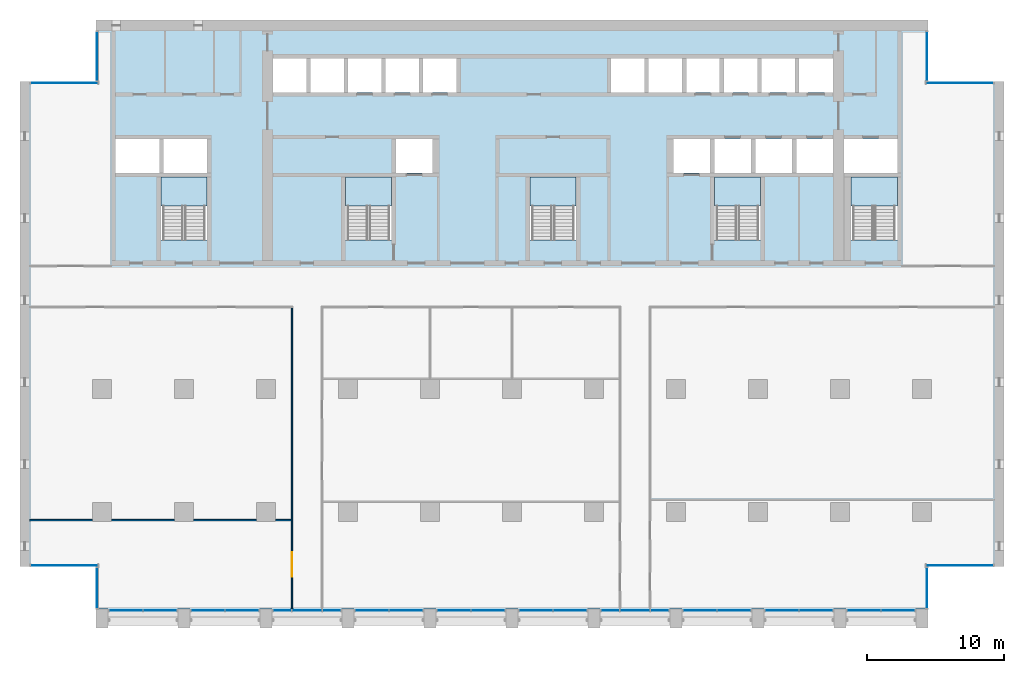
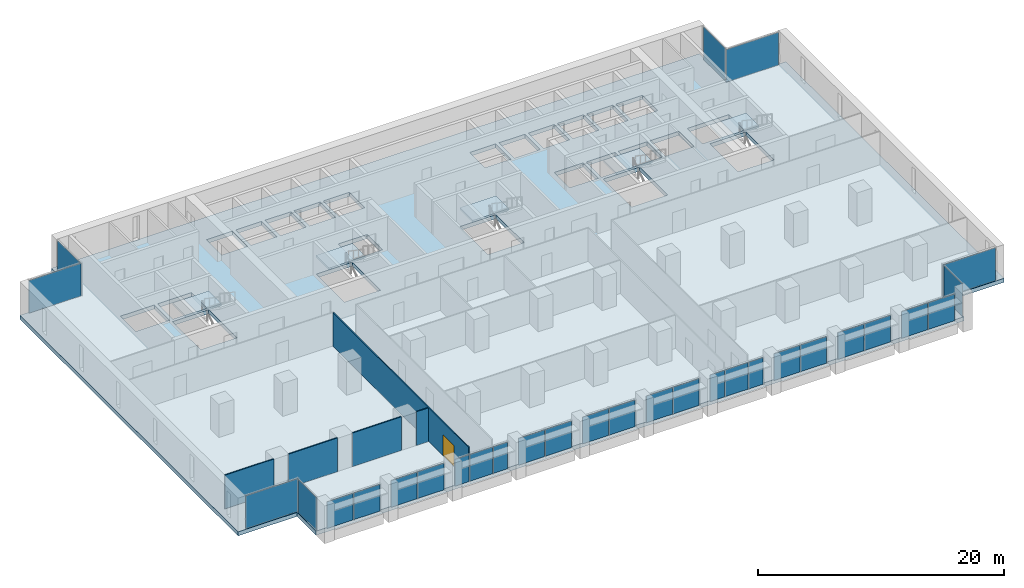
# One storey, part 7 of 15: 30 plates, 6 slabs, 5 walls, 1 door, 1 opening, 23 elements without a shape of their own.
"""IFC4 building model written with IfcOpenShell, lengths in metres."""

from ifc_helpers import new_model, si_unit, direction, frame, frame_2d, origin, origin_2d, place, context, subcontext, project, spatial, polyline, rectangle, outline, extrude, material, layer, layer_set, type_object, element, fill, aggregate, save


model = new_model("IFC4")

# Units and contexts
model_context = context("Model", 3, precision=1e-05, world=origin(), true_north=direction((0.0, 1.0)))
body_context = subcontext(model_context, "Body", "Model", "MODEL_VIEW")
ifc_project = project(units=[si_unit("LENGTHUNIT", "METRE"), si_unit("AREAUNIT", "SQUARE_METRE"), si_unit("VOLUMEUNIT", "CUBIC_METRE"), si_unit("PLANEANGLEUNIT", "RADIAN"), si_unit("MASSUNIT", "GRAM", prefix="KILO")], contexts=[model_context])

# Site, building, storey
site_placement = place(None, origin())
site = spatial("IfcSite", under=ifc_project, at=site_placement, CompositionType="ELEMENT")
building_placement = place(site_placement, origin())
building = spatial("IfcBuilding", under=site, at=building_placement, Name="Calvaro Tower", CompositionType="ELEMENT")
storey_placement = place(building_placement, frame((0.0, 0.0, 106.25)))
storey = spatial("IfcBuildingStorey", under=building, at=storey_placement, Name="L26", CompositionType="ELEMENT", Elevation=106.25)

# Slab
ifc_material_1 = material(Name="Concrete C40/50", Category="concrete")
ifc_layer_1 = layer(ifc_material_1, 0.39990234375)
ifc_layer_set_1 = layer_set([ifc_layer_1], Name="Concrete C40/50")
slab_type_1 = type_object("IfcSlabType", Name="Floor slab 400 C40/50", PredefinedType="FLOOR", material=ifc_layer_set_1)
slab_1_placement = place(storey_placement, frame((0.0, 0.0, -0.39990234375)))
element("IfcSlab", 1, at=slab_1_placement, inside=storey, type_object=slab_type_1, Name="Floor slab", PredefinedType="FLOOR", context=body_context, shape_type="SweptSolid", body=[
    extrude(outline(polyline([(66.449951171875, 6.0), (66.449951171875, 2.89990234375), (5.550048828125, 2.89990234375), (5.550048828125, 6.0), (0.0, 6.0), (0.0, 41.5), (5.550048828125, 41.5), (5.550048828125, 46.0), (66.449951171875, 46.0), (66.449951171875, 41.5), (72.0, 41.5), (72.0, 6.0), (66.449951171875, 6.0)]), holes=[polyline([(10.300048828125, 29.909912109375), (10.300048828125, 34.5), (12.0, 34.5), (13.699951171875, 34.5), (13.699951171875, 29.909912109375), (12.0, 29.909912109375), (10.300048828125, 29.909912109375)]), polyline([(23.800048828125, 29.909912109375), (23.800048828125, 34.5), (25.5, 34.5), (27.199951171875, 34.5), (27.199951171875, 29.909912109375), (25.5, 29.909912109375), (23.800048828125, 29.909912109375)]), polyline([(37.300048828125, 29.909912109375), (37.300048828125, 34.5), (39.0, 34.5), (40.699951171875, 34.5), (40.699951171875, 29.909912109375), (39.0, 29.909912109375), (37.300048828125, 29.909912109375)]), polyline([(50.800048828125, 29.909912109375), (50.800048828125, 34.5), (52.5, 34.5), (54.199951171875, 34.5), (54.199951171875, 29.909912109375), (52.5, 29.909912109375), (50.800048828125, 29.909912109375)]), polyline([(60.800048828125, 29.909912109375), (60.800048828125, 34.5), (62.5, 34.5), (64.199951171875, 34.5), (64.199951171875, 29.909912109375), (62.5, 29.909912109375), (60.800048828125, 29.909912109375)]), polyline([(50.800048828125, 34.800048828125), (53.5, 34.800048828125), (53.5, 37.300048828125), (50.800048828125, 37.300048828125), (50.800048828125, 34.800048828125)]), polyline([(53.800048828125, 34.800048828125), (56.5, 34.800048828125), (56.5, 37.300048828125), (53.800048828125, 37.300048828125), (53.800048828125, 34.800048828125)]), polyline([(56.800048828125, 34.800048828125), (59.5, 34.800048828125), (59.5, 37.300048828125), (56.800048828125, 37.300048828125), (56.800048828125, 34.800048828125)]), polyline([(18.5, 40.699951171875), (20.949951171875, 40.699951171875), (20.949951171875, 43.199951171875), (18.5, 43.199951171875), (18.5, 40.699951171875)]), polyline([(21.25, 40.699951171875), (23.699951171875, 40.699951171875), (23.699951171875, 43.199951171875), (21.25, 43.199951171875), (21.25, 40.699951171875)]), polyline([(24.0, 40.699951171875), (26.449951171875, 40.699951171875), (26.449951171875, 43.199951171875), (24.0, 43.199951171875), (24.0, 40.699951171875)]), polyline([(26.75, 40.699951171875), (29.199951171875, 40.699951171875), (29.199951171875, 43.199951171875), (26.75, 43.199951171875), (26.75, 40.699951171875)]), polyline([(29.5, 40.699951171875), (31.949951171875, 40.699951171875), (31.949951171875, 43.199951171875), (29.5, 43.199951171875), (29.5, 40.699951171875)]), polyline([(43.25, 40.699951171875), (45.699951171875, 40.699951171875), (45.699951171875, 43.199951171875), (43.25, 43.199951171875), (43.25, 40.699951171875)]), polyline([(46.0, 40.699951171875), (48.449951171875, 40.699951171875), (48.449951171875, 43.199951171875), (46.0, 43.199951171875), (46.0, 40.699951171875)]), polyline([(48.75, 40.699951171875), (51.199951171875, 40.699951171875), (51.199951171875, 43.199951171875), (48.75, 43.199951171875), (48.75, 40.699951171875)]), polyline([(51.5, 40.699951171875), (53.949951171875, 40.699951171875), (53.949951171875, 43.199951171875), (51.5, 43.199951171875), (51.5, 40.699951171875)]), polyline([(54.25, 40.699951171875), (56.699951171875, 40.699951171875), (56.699951171875, 43.199951171875), (54.25, 43.199951171875), (54.25, 40.699951171875)]), polyline([(57.0, 40.699951171875), (59.5, 40.699951171875), (59.5, 43.199951171875), (57.0, 43.199951171875), (57.0, 40.699951171875)]), polyline([(7.0, 34.800048828125), (10.199951171875, 34.800048828125), (10.199951171875, 37.300048828125), (7.0, 37.300048828125), (7.0, 34.800048828125)]), polyline([(10.5, 34.800048828125), (13.699951171875, 34.800048828125), (13.699951171875, 37.300048828125), (10.5, 37.300048828125), (10.5, 34.800048828125)]), polyline([(60.300048828125, 34.800048828125), (64.199951171875, 34.800048828125), (64.199951171875, 37.300048828125), (60.300048828125, 37.300048828125), (60.300048828125, 34.800048828125)]), polyline([(27.5, 34.800048828125), (30.199951171875, 34.800048828125), (30.199951171875, 37.300048828125), (27.5, 37.300048828125), (27.5, 34.800048828125)]), polyline([(47.800048828125, 34.800048828125), (50.5, 34.800048828125), (50.5, 37.300048828125), (47.800048828125, 37.300048828125), (47.800048828125, 34.800048828125)])]), origin(), (0.0, 0.0, 1.0), 0.39990234375),
])

# Curtain wall, plates
ifc_material_2 = material(Name="Anodised aluminium", Category="aluminium")
curtain_wall_type = type_object("IfcCurtainWallType", Name="Office curtain wall, middle zone", PredefinedType="NOTDEFINED", material=ifc_material_2)
curtain_wall_1_placement = place(storey_placement, origin())
curtain_wall_1 = element("IfcCurtainWall", 2, at=curtain_wall_1_placement, inside=storey, type_object=curtain_wall_type, Name="CW2 south curtain wall", PredefinedType="NOTDEFINED")
ifc_material_3 = material(Name="Glass", Category="glass")
ifc_layer_2 = layer(ifc_material_3, 0.031982421875)
ifc_layer_set_2 = layer_set([ifc_layer_2], Name="Glass")
plate_type = type_object("IfcPlateType", Name="Glass panel S2 32", PredefinedType="CURTAIN_PANEL", material=ifc_layer_set_2)
plate_1_placement = place(storey_placement, frame((7.742431640625, 2.800048828125, 0.0), z_axis=(0.0, 0.0, 1.0), x_axis=(1.0, 0.0, 0.0)))
plate_1 = element("IfcPlate", 3, at=plate_1_placement, type_object=plate_type, Name="CW2 glass panel 1.1", PredefinedType="CURTAIN_PANEL", context=body_context, shape_type="SweptSolid", body=[
    extrude(rectangle(XDim=2.445068359375, YDim=0.031982421875, at=origin_2d()), origin(), (0.0, 0.0, 1.0), 2.64990234375),
])
plate_2_placement = place(storey_placement, frame((10.257568359375, 2.800048828125, 0.0), z_axis=(0.0, 0.0, 1.0), x_axis=(1.0, 0.0, 0.0)))
plate_2 = element("IfcPlate", 4, at=plate_2_placement, type_object=plate_type, Name="CW2 glass panel 2.1", PredefinedType="CURTAIN_PANEL", context=body_context, shape_type="SweptSolid", body=[
    extrude(rectangle(XDim=2.445068359375, YDim=0.031982421875, at=origin_2d()), origin(), (0.0, 0.0, 1.0), 2.64990234375),
])
aggregate(curtain_wall_1, [plate_1, plate_2])

curtain_wall_2_placement = place(storey_placement, origin())
curtain_wall_2 = element("IfcCurtainWall", 5, at=curtain_wall_2_placement, inside=storey, type_object=curtain_wall_type, Name="CW2 south curtain wall", PredefinedType="NOTDEFINED")
plate_3_placement = place(storey_placement, frame((13.742431640625, 2.800048828125, 0.0), z_axis=(0.0, 0.0, 1.0), x_axis=(1.0, 0.0, 0.0)))
plate_3 = element("IfcPlate", 6, at=plate_3_placement, type_object=plate_type, Name="CW2 glass panel 1.1", PredefinedType="CURTAIN_PANEL", context=body_context, shape_type="SweptSolid", body=[
    extrude(rectangle(XDim=2.445068359375, YDim=0.031982421875, at=origin_2d()), origin(), (0.0, 0.0, 1.0), 2.64990234375),
])
plate_4_placement = place(storey_placement, frame((16.257568359375, 2.800048828125, 0.0), z_axis=(0.0, 0.0, 1.0), x_axis=(1.0, 0.0, 0.0)))
plate_4 = element("IfcPlate", 7, at=plate_4_placement, type_object=plate_type, Name="CW2 glass panel 2.1", PredefinedType="CURTAIN_PANEL", context=body_context, shape_type="SweptSolid", body=[
    extrude(rectangle(XDim=2.445068359375, YDim=0.031982421875, at=origin_2d()), origin(), (0.0, 0.0, 1.0), 2.64990234375),
])
aggregate(curtain_wall_2, [plate_3, plate_4])

curtain_wall_3_placement = place(storey_placement, origin())
curtain_wall_3 = element("IfcCurtainWall", 8, at=curtain_wall_3_placement, inside=storey, type_object=curtain_wall_type, Name="CW2 south curtain wall", PredefinedType="NOTDEFINED")
plate_5_placement = place(storey_placement, frame((19.1923828125, 2.800048828125, 0.0), z_axis=(0.0, 0.0, 1.0), x_axis=(1.0, 0.0, 0.0)))
plate_5 = element("IfcPlate", 9, at=plate_5_placement, type_object=plate_type, Name="CW2 glass panel 1.1", PredefinedType="CURTAIN_PANEL", context=body_context, shape_type="SweptSolid", body=[
    extrude(rectangle(XDim=1.344970703125, YDim=0.031982421875, at=origin_2d()), origin(), (0.0, 0.0, 1.0), 2.64990234375),
])
plate_6_placement = place(storey_placement, frame((21.0, 2.800048828125, 0.0), z_axis=(0.0, 0.0, 1.0), x_axis=(1.0, 0.0, 0.0)))
plate_6 = element("IfcPlate", 10, at=plate_6_placement, type_object=plate_type, Name="CW2 glass panel 2.1", PredefinedType="CURTAIN_PANEL", context=body_context, shape_type="SweptSolid", body=[
    extrude(rectangle(XDim=2.1298828125, YDim=0.031982421875, at=origin_2d()), origin(), (0.0, 0.0, 1.0), 2.64990234375),
])
plate_7_placement = place(storey_placement, frame((22.8076171875, 2.800048828125, 0.0), z_axis=(0.0, 0.0, 1.0), x_axis=(1.0, 0.0, 0.0)))
plate_7 = element("IfcPlate", 11, at=plate_7_placement, type_object=plate_type, Name="CW2 glass panel 3.1", PredefinedType="CURTAIN_PANEL", context=body_context, shape_type="SweptSolid", body=[
    extrude(rectangle(XDim=1.344970703125, YDim=0.031982421875, at=origin_2d()), origin(), (0.0, 0.0, 1.0), 2.64990234375),
])
aggregate(curtain_wall_3, [plate_5, plate_6, plate_7])

curtain_wall_4_placement = place(storey_placement, origin())
curtain_wall_4 = element("IfcCurtainWall", 12, at=curtain_wall_4_placement, inside=storey, type_object=curtain_wall_type, Name="CW2 south curtain wall", PredefinedType="NOTDEFINED")
plate_8_placement = place(storey_placement, frame((25.742431640625, 2.800048828125, 0.0), z_axis=(0.0, 0.0, 1.0), x_axis=(1.0, 0.0, 0.0)))
plate_8 = element("IfcPlate", 13, at=plate_8_placement, type_object=plate_type, Name="CW2 glass panel 1.1", PredefinedType="CURTAIN_PANEL", context=body_context, shape_type="SweptSolid", body=[
    extrude(rectangle(XDim=2.445068359375, YDim=0.031982421875, at=origin_2d()), origin(), (0.0, 0.0, 1.0), 2.64990234375),
])
plate_9_placement = place(storey_placement, frame((28.257568359375, 2.800048828125, 0.0), z_axis=(0.0, 0.0, 1.0), x_axis=(1.0, 0.0, 0.0)))
plate_9 = element("IfcPlate", 14, at=plate_9_placement, type_object=plate_type, Name="CW2 glass panel 2.1", PredefinedType="CURTAIN_PANEL", context=body_context, shape_type="SweptSolid", body=[
    extrude(rectangle(XDim=2.445068359375, YDim=0.031982421875, at=origin_2d()), origin(), (0.0, 0.0, 1.0), 2.64990234375),
])
aggregate(curtain_wall_4, [plate_8, plate_9])

curtain_wall_5_placement = place(storey_placement, origin())
curtain_wall_5 = element("IfcCurtainWall", 15, at=curtain_wall_5_placement, inside=storey, type_object=curtain_wall_type, Name="CW2 south curtain wall", PredefinedType="NOTDEFINED")
plate_10_placement = place(storey_placement, frame((31.742431640625, 2.800048828125, 0.0), z_axis=(0.0, 0.0, 1.0), x_axis=(1.0, 0.0, 0.0)))
plate_10 = element("IfcPlate", 16, at=plate_10_placement, type_object=plate_type, Name="CW2 glass panel 1.1", PredefinedType="CURTAIN_PANEL", context=body_context, shape_type="SweptSolid", body=[
    extrude(rectangle(XDim=2.445068359375, YDim=0.031982421875, at=origin_2d()), origin(), (0.0, 0.0, 1.0), 2.64990234375),
])
plate_11_placement = place(storey_placement, frame((34.257568359375, 2.800048828125, 0.0), z_axis=(0.0, 0.0, 1.0), x_axis=(1.0, 0.0, 0.0)))
plate_11 = element("IfcPlate", 17, at=plate_11_placement, type_object=plate_type, Name="CW2 glass panel 2.1", PredefinedType="CURTAIN_PANEL", context=body_context, shape_type="SweptSolid", body=[
    extrude(rectangle(XDim=2.445068359375, YDim=0.031982421875, at=origin_2d()), origin(), (0.0, 0.0, 1.0), 2.64990234375),
])
aggregate(curtain_wall_5, [plate_10, plate_11])

curtain_wall_6_placement = place(storey_placement, origin())
curtain_wall_6 = element("IfcCurtainWall", 18, at=curtain_wall_6_placement, inside=storey, type_object=curtain_wall_type, Name="CW2 south curtain wall", PredefinedType="NOTDEFINED")
plate_12_placement = place(storey_placement, frame((37.742431640625, 2.800048828125, 0.0), z_axis=(0.0, 0.0, 1.0), x_axis=(1.0, 0.0, 0.0)))
plate_12 = element("IfcPlate", 19, at=plate_12_placement, type_object=plate_type, Name="CW2 glass panel 1.1", PredefinedType="CURTAIN_PANEL", context=body_context, shape_type="SweptSolid", body=[
    extrude(rectangle(XDim=2.445068359375, YDim=0.031982421875, at=origin_2d()), origin(), (0.0, 0.0, 1.0), 2.64990234375),
])
plate_13_placement = place(storey_placement, frame((40.257568359375, 2.800048828125, 0.0), z_axis=(0.0, 0.0, 1.0), x_axis=(1.0, 0.0, 0.0)))
plate_13 = element("IfcPlate", 20, at=plate_13_placement, type_object=plate_type, Name="CW2 glass panel 2.1", PredefinedType="CURTAIN_PANEL", context=body_context, shape_type="SweptSolid", body=[
    extrude(rectangle(XDim=2.445068359375, YDim=0.031982421875, at=origin_2d()), origin(), (0.0, 0.0, 1.0), 2.64990234375),
])
aggregate(curtain_wall_6, [plate_12, plate_13])

curtain_wall_7_placement = place(storey_placement, origin())
curtain_wall_7 = element("IfcCurtainWall", 21, at=curtain_wall_7_placement, inside=storey, type_object=curtain_wall_type, Name="CW2 south curtain wall", PredefinedType="NOTDEFINED")
plate_14_placement = place(storey_placement, frame((43.1923828125, 2.800048828125, 0.0), z_axis=(0.0, 0.0, 1.0), x_axis=(1.0, 0.0, 0.0)))
plate_14 = element("IfcPlate", 22, at=plate_14_placement, type_object=plate_type, Name="CW2 glass panel 1.1", PredefinedType="CURTAIN_PANEL", context=body_context, shape_type="SweptSolid", body=[
    extrude(rectangle(XDim=1.344970703125, YDim=0.031982421875, at=origin_2d()), origin(), (0.0, 0.0, 1.0), 2.64990234375),
])
plate_15_placement = place(storey_placement, frame((45.0, 2.800048828125, 0.0), z_axis=(0.0, 0.0, 1.0), x_axis=(1.0, 0.0, 0.0)))
plate_15 = element("IfcPlate", 23, at=plate_15_placement, type_object=plate_type, Name="CW2 glass panel 2.1", PredefinedType="CURTAIN_PANEL", context=body_context, shape_type="SweptSolid", body=[
    extrude(rectangle(XDim=2.1298828125, YDim=0.031982421875, at=origin_2d()), origin(), (0.0, 0.0, 1.0), 2.64990234375),
])
plate_16_placement = place(storey_placement, frame((46.8076171875, 2.800048828125, 0.0), z_axis=(0.0, 0.0, 1.0), x_axis=(1.0, 0.0, 0.0)))
plate_16 = element("IfcPlate", 24, at=plate_16_placement, type_object=plate_type, Name="CW2 glass panel 3.1", PredefinedType="CURTAIN_PANEL", context=body_context, shape_type="SweptSolid", body=[
    extrude(rectangle(XDim=1.344970703125, YDim=0.031982421875, at=origin_2d()), origin(), (0.0, 0.0, 1.0), 2.64990234375),
])
aggregate(curtain_wall_7, [plate_14, plate_15, plate_16])

curtain_wall_8_placement = place(storey_placement, origin())
curtain_wall_8 = element("IfcCurtainWall", 25, at=curtain_wall_8_placement, inside=storey, type_object=curtain_wall_type, Name="CW2 south curtain wall", PredefinedType="NOTDEFINED")
plate_17_placement = place(storey_placement, frame((49.742431640625, 2.800048828125, 0.0), z_axis=(0.0, 0.0, 1.0), x_axis=(1.0, 0.0, 0.0)))
plate_17 = element("IfcPlate", 26, at=plate_17_placement, type_object=plate_type, Name="CW2 glass panel 1.1", PredefinedType="CURTAIN_PANEL", context=body_context, shape_type="SweptSolid", body=[
    extrude(rectangle(XDim=2.445068359375, YDim=0.031982421875, at=origin_2d()), origin(), (0.0, 0.0, 1.0), 2.64990234375),
])
plate_18_placement = place(storey_placement, frame((52.257568359375, 2.800048828125, 0.0), z_axis=(0.0, 0.0, 1.0), x_axis=(1.0, 0.0, 0.0)))
plate_18 = element("IfcPlate", 27, at=plate_18_placement, type_object=plate_type, Name="CW2 glass panel 2.1", PredefinedType="CURTAIN_PANEL", context=body_context, shape_type="SweptSolid", body=[
    extrude(rectangle(XDim=2.445068359375, YDim=0.031982421875, at=origin_2d()), origin(), (0.0, 0.0, 1.0), 2.64990234375),
])
aggregate(curtain_wall_8, [plate_17, plate_18])

curtain_wall_9_placement = place(storey_placement, origin())
curtain_wall_9 = element("IfcCurtainWall", 28, at=curtain_wall_9_placement, inside=storey, type_object=curtain_wall_type, Name="CW2 south curtain wall", PredefinedType="NOTDEFINED")
plate_19_placement = place(storey_placement, frame((55.742431640625, 2.800048828125, 0.0), z_axis=(0.0, 0.0, 1.0), x_axis=(1.0, 0.0, 0.0)))
plate_19 = element("IfcPlate", 29, at=plate_19_placement, type_object=plate_type, Name="CW2 glass panel 1.1", PredefinedType="CURTAIN_PANEL", context=body_context, shape_type="SweptSolid", body=[
    extrude(rectangle(XDim=2.445068359375, YDim=0.031982421875, at=origin_2d()), origin(), (0.0, 0.0, 1.0), 2.64990234375),
])
plate_20_placement = place(storey_placement, frame((58.257568359375, 2.800048828125, 0.0), z_axis=(0.0, 0.0, 1.0), x_axis=(1.0, 0.0, 0.0)))
plate_20 = element("IfcPlate", 30, at=plate_20_placement, type_object=plate_type, Name="CW2 glass panel 2.1", PredefinedType="CURTAIN_PANEL", context=body_context, shape_type="SweptSolid", body=[
    extrude(rectangle(XDim=2.445068359375, YDim=0.031982421875, at=origin_2d()), origin(), (0.0, 0.0, 1.0), 2.64990234375),
])
aggregate(curtain_wall_9, [plate_19, plate_20])

curtain_wall_10_placement = place(storey_placement, origin())
curtain_wall_10 = element("IfcCurtainWall", 31, at=curtain_wall_10_placement, inside=storey, type_object=curtain_wall_type, Name="CW2 south curtain wall", PredefinedType="NOTDEFINED")
plate_21_placement = place(storey_placement, frame((61.742431640625, 2.800048828125, 0.0), z_axis=(0.0, 0.0, 1.0), x_axis=(1.0, 0.0, 0.0)))
plate_21 = element("IfcPlate", 32, at=plate_21_placement, type_object=plate_type, Name="CW2 glass panel 1.1", PredefinedType="CURTAIN_PANEL", context=body_context, shape_type="SweptSolid", body=[
    extrude(rectangle(XDim=2.445068359375, YDim=0.031982421875, at=origin_2d()), origin(), (0.0, 0.0, 1.0), 2.64990234375),
])
plate_22_placement = place(storey_placement, frame((64.257568359375, 2.800048828125, 0.0), z_axis=(0.0, 0.0, 1.0), x_axis=(1.0, 0.0, 0.0)))
plate_22 = element("IfcPlate", 33, at=plate_22_placement, type_object=plate_type, Name="CW2 glass panel 2.1", PredefinedType="CURTAIN_PANEL", context=body_context, shape_type="SweptSolid", body=[
    extrude(rectangle(XDim=2.445068359375, YDim=0.031982421875, at=origin_2d()), origin(), (0.0, 0.0, 1.0), 2.64990234375),
])
aggregate(curtain_wall_10, [plate_21, plate_22])

# Curtain wall, plate
curtain_wall_11_placement = place(storey_placement, origin())
curtain_wall_11 = element("IfcCurtainWall", 34, at=curtain_wall_11_placement, inside=storey, type_object=curtain_wall_type, Name="CW2 corner curtain wall", PredefinedType="NOTDEFINED")
plate_23_placement = place(storey_placement, frame((5.64990234375, 4.449951171875, 0.0), z_axis=(0.0, 0.0, 1.0), x_axis=(0.0, 1.0, 0.0)))
plate_23 = element("IfcPlate", 35, at=plate_23_placement, type_object=plate_type, Name="CW2 glass panel 1.1", PredefinedType="CURTAIN_PANEL", context=body_context, shape_type="SweptSolid", body=[
    extrude(rectangle(XDim=2.9599609375, YDim=0.031982421875, at=origin_2d()), origin(), (0.0, 0.0, 1.0), 3.25),
])
aggregate(curtain_wall_11, [plate_23])

curtain_wall_12_placement = place(storey_placement, origin())
curtain_wall_12 = element("IfcCurtainWall", 36, at=curtain_wall_12_placement, inside=storey, type_object=curtain_wall_type, Name="CW2 corner curtain wall", PredefinedType="NOTDEFINED")
plate_24_placement = place(storey_placement, frame((3.22509765625, 6.10009765625, 0.0), z_axis=(0.0, 0.0, 1.0), x_axis=(1.0, 0.0, 0.0)))
plate_24 = element("IfcPlate", 37, at=plate_24_placement, type_object=plate_type, Name="CW2 glass panel 1.1", PredefinedType="CURTAIN_PANEL", context=body_context, shape_type="SweptSolid", body=[
    extrude(rectangle(XDim=4.909912109375, YDim=0.031982421875, at=origin_2d()), origin(), (0.0, 0.0, 1.0), 3.25),
])
aggregate(curtain_wall_12, [plate_24])

curtain_wall_13_placement = place(storey_placement, origin())
curtain_wall_13 = element("IfcCurtainWall", 38, at=curtain_wall_13_placement, inside=storey, type_object=curtain_wall_type, Name="CW2 corner curtain wall", PredefinedType="NOTDEFINED")
plate_25_placement = place(storey_placement, frame((5.64990234375, 43.35009765625, 0.0), z_axis=(0.0, 0.0, 1.0), x_axis=(0.0, 1.0, 0.0)))
plate_25 = element("IfcPlate", 39, at=plate_25_placement, type_object=plate_type, Name="CW2 glass panel 1.1", PredefinedType="CURTAIN_PANEL", context=body_context, shape_type="SweptSolid", body=[
    extrude(rectangle(XDim=3.56005859375, YDim=0.031982421875, at=origin_2d()), origin(), (0.0, 0.0, 1.0), 3.25),
])
aggregate(curtain_wall_13, [plate_25])

curtain_wall_14_placement = place(storey_placement, origin())
curtain_wall_14 = element("IfcCurtainWall", 40, at=curtain_wall_14_placement, inside=storey, type_object=curtain_wall_type, Name="CW2 corner curtain wall", PredefinedType="NOTDEFINED")
plate_26_placement = place(storey_placement, frame((3.22509765625, 41.39990234375, 0.0), z_axis=(0.0, 0.0, 1.0), x_axis=(1.0, 0.0, 0.0)))
plate_26 = element("IfcPlate", 41, at=plate_26_placement, type_object=plate_type, Name="CW2 glass panel 1.1", PredefinedType="CURTAIN_PANEL", context=body_context, shape_type="SweptSolid", body=[
    extrude(rectangle(XDim=4.909912109375, YDim=0.031982421875, at=origin_2d()), origin(), (0.0, 0.0, 1.0), 3.25),
])
aggregate(curtain_wall_14, [plate_26])

curtain_wall_15_placement = place(storey_placement, origin())
curtain_wall_15 = element("IfcCurtainWall", 42, at=curtain_wall_15_placement, inside=storey, type_object=curtain_wall_type, Name="CW2 corner curtain wall", PredefinedType="NOTDEFINED")
plate_27_placement = place(storey_placement, frame((66.35009765625, 4.449951171875, 0.0), z_axis=(0.0, 0.0, 1.0), x_axis=(0.0, 1.0, 0.0)))
plate_27 = element("IfcPlate", 43, at=plate_27_placement, type_object=plate_type, Name="CW2 glass panel 1.1", PredefinedType="CURTAIN_PANEL", context=body_context, shape_type="SweptSolid", body=[
    extrude(rectangle(XDim=2.9599609375, YDim=0.031982421875, at=origin_2d()), origin(), (0.0, 0.0, 1.0), 3.25),
])
aggregate(curtain_wall_15, [plate_27])

curtain_wall_16_placement = place(storey_placement, origin())
curtain_wall_16 = element("IfcCurtainWall", 44, at=curtain_wall_16_placement, inside=storey, type_object=curtain_wall_type, Name="CW2 corner curtain wall", PredefinedType="NOTDEFINED")
plate_28_placement = place(storey_placement, frame((68.77490234375, 6.10009765625, 0.0), z_axis=(0.0, 0.0, 1.0), x_axis=(1.0, 0.0, 0.0)))
plate_28 = element("IfcPlate", 45, at=plate_28_placement, type_object=plate_type, Name="CW2 glass panel 1.1", PredefinedType="CURTAIN_PANEL", context=body_context, shape_type="SweptSolid", body=[
    extrude(rectangle(XDim=4.909912109375, YDim=0.031982421875, at=origin_2d()), origin(), (0.0, 0.0, 1.0), 3.25),
])
aggregate(curtain_wall_16, [plate_28])

curtain_wall_17_placement = place(storey_placement, origin())
curtain_wall_17 = element("IfcCurtainWall", 46, at=curtain_wall_17_placement, inside=storey, type_object=curtain_wall_type, Name="CW2 corner curtain wall", PredefinedType="NOTDEFINED")
plate_29_placement = place(storey_placement, frame((66.35009765625, 43.35009765625, 0.0), z_axis=(0.0, 0.0, 1.0), x_axis=(0.0, 1.0, 0.0)))
plate_29 = element("IfcPlate", 47, at=plate_29_placement, type_object=plate_type, Name="CW2 glass panel 1.1", PredefinedType="CURTAIN_PANEL", context=body_context, shape_type="SweptSolid", body=[
    extrude(rectangle(XDim=3.56005859375, YDim=0.031982421875, at=origin_2d()), origin(), (0.0, 0.0, 1.0), 3.25),
])
aggregate(curtain_wall_17, [plate_29])

curtain_wall_18_placement = place(storey_placement, origin())
curtain_wall_18 = element("IfcCurtainWall", 48, at=curtain_wall_18_placement, inside=storey, type_object=curtain_wall_type, Name="CW2 corner curtain wall", PredefinedType="NOTDEFINED")
plate_30_placement = place(storey_placement, frame((68.77490234375, 41.39990234375, 0.0), z_axis=(0.0, 0.0, 1.0), x_axis=(1.0, 0.0, 0.0)))
plate_30 = element("IfcPlate", 49, at=plate_30_placement, type_object=plate_type, Name="CW2 glass panel 1.1", PredefinedType="CURTAIN_PANEL", context=body_context, shape_type="SweptSolid", body=[
    extrude(rectangle(XDim=4.909912109375, YDim=0.031982421875, at=origin_2d()), origin(), (0.0, 0.0, 1.0), 3.25),
])
aggregate(curtain_wall_18, [plate_30])

# Stair, slab
ifc_material_4 = material(Name="Concrete C40/50", Category="concrete")
stair_type = type_object("IfcStairType", Name="Exit stair 1400 2 flights", PredefinedType="HALF_TURN_STAIR", material=ifc_material_4)
stair_1_placement = place(storey_placement, origin())
stair_1 = element("IfcStair", 50, at=stair_1_placement, inside=storey, type_object=stair_type, Name="Exit stair S1", PredefinedType="HALF_TURN_STAIR")
ifc_material_5 = material(Name="Concrete C40/50", Category="concrete")
ifc_layer_3 = layer(ifc_material_5, 0.199951171875)
ifc_layer_set_3 = layer_set([ifc_layer_3], Name="Concrete C40/50")
slab_type_2 = type_object("IfcSlabType", Name="Stair landing", PredefinedType="LANDING", material=ifc_layer_set_3)
slab_2_placement = place(storey_placement, frame((0.0, 0.0, 1.675048828125)))
slab_2 = element("IfcSlab", 51, at=slab_2_placement, type_object=slab_type_2, Name="Exit stair 1, landing 1", PredefinedType="LANDING", context=body_context, shape_type="SweptSolid", body=[
    extrude(outline(polyline([(11.89990234375, 32.389892578125), (10.5, 32.389892578125), (10.5, 32.39990234375), (10.300048828125, 32.39990234375), (10.300048828125, 34.5), (10.5, 34.5), (11.89990234375, 34.5), (12.10009765625, 34.5), (13.5, 34.5), (13.699951171875, 34.5), (13.699951171875, 32.39990234375), (13.5, 32.39990234375), (13.5, 32.389892578125), (12.10009765625, 32.389892578125), (12.10009765625, 32.39990234375), (11.89990234375, 32.39990234375), (11.89990234375, 32.389892578125)])), origin(), (0.0, 0.0, 1.0), 0.199951171875),
])
aggregate(stair_1, [slab_2])

stair_2_placement = place(storey_placement, origin())
stair_2 = element("IfcStair", 52, at=stair_2_placement, inside=storey, type_object=stair_type, Name="Exit stair S2", PredefinedType="HALF_TURN_STAIR")
slab_3_placement = place(storey_placement, frame((0.0, 0.0, 1.675048828125)))
slab_3 = element("IfcSlab", 53, at=slab_3_placement, type_object=slab_type_2, Name="Exit stair 2, landing 1", PredefinedType="LANDING", context=body_context, shape_type="SweptSolid", body=[
    extrude(outline(polyline([(25.39990234375, 32.389892578125), (24.0, 32.389892578125), (24.0, 32.39990234375), (23.800048828125, 32.39990234375), (23.800048828125, 34.5), (24.0, 34.5), (25.39990234375, 34.5), (25.60009765625, 34.5), (27.0, 34.5), (27.199951171875, 34.5), (27.199951171875, 32.39990234375), (27.0, 32.39990234375), (27.0, 32.389892578125), (25.60009765625, 32.389892578125), (25.60009765625, 32.39990234375), (25.39990234375, 32.39990234375), (25.39990234375, 32.389892578125)])), origin(), (0.0, 0.0, 1.0), 0.199951171875),
])
aggregate(stair_2, [slab_3])

stair_3_placement = place(storey_placement, origin())
stair_3 = element("IfcStair", 54, at=stair_3_placement, inside=storey, type_object=stair_type, Name="Exit stair S3", PredefinedType="HALF_TURN_STAIR")
slab_4_placement = place(storey_placement, frame((0.0, 0.0, 1.675048828125)))
slab_4 = element("IfcSlab", 55, at=slab_4_placement, type_object=slab_type_2, Name="Exit stair 3, landing 1", PredefinedType="LANDING", context=body_context, shape_type="SweptSolid", body=[
    extrude(outline(polyline([(38.89990234375, 32.389892578125), (37.5, 32.389892578125), (37.5, 32.39990234375), (37.300048828125, 32.39990234375), (37.300048828125, 34.5), (37.5, 34.5), (38.89990234375, 34.5), (39.10009765625, 34.5), (40.5, 34.5), (40.699951171875, 34.5), (40.699951171875, 32.39990234375), (40.5, 32.39990234375), (40.5, 32.389892578125), (39.10009765625, 32.389892578125), (39.10009765625, 32.39990234375), (38.89990234375, 32.39990234375), (38.89990234375, 32.389892578125)])), origin(), (0.0, 0.0, 1.0), 0.199951171875),
])
aggregate(stair_3, [slab_4])

stair_4_placement = place(storey_placement, origin())
stair_4 = element("IfcStair", 56, at=stair_4_placement, inside=storey, type_object=stair_type, Name="Exit stair S4", PredefinedType="HALF_TURN_STAIR")
slab_5_placement = place(storey_placement, frame((0.0, 0.0, 1.675048828125)))
slab_5 = element("IfcSlab", 57, at=slab_5_placement, type_object=slab_type_2, Name="Exit stair 4, landing 1", PredefinedType="LANDING", context=body_context, shape_type="SweptSolid", body=[
    extrude(outline(polyline([(52.39990234375, 32.389892578125), (51.0, 32.389892578125), (51.0, 32.39990234375), (50.800048828125, 32.39990234375), (50.800048828125, 34.5), (51.0, 34.5), (52.39990234375, 34.5), (52.60009765625, 34.5), (54.0, 34.5), (54.199951171875, 34.5), (54.199951171875, 32.39990234375), (54.0, 32.39990234375), (54.0, 32.389892578125), (52.60009765625, 32.389892578125), (52.60009765625, 32.39990234375), (52.39990234375, 32.39990234375), (52.39990234375, 32.389892578125)])), origin(), (0.0, 0.0, 1.0), 0.199951171875),
])
aggregate(stair_4, [slab_5])

stair_5_placement = place(storey_placement, origin())
stair_5 = element("IfcStair", 58, at=stair_5_placement, inside=storey, type_object=stair_type, Name="Exit stair S5", PredefinedType="HALF_TURN_STAIR")
slab_6_placement = place(storey_placement, frame((0.0, 0.0, 1.675048828125)))
slab_6 = element("IfcSlab", 59, at=slab_6_placement, type_object=slab_type_2, Name="Exit stair 5, landing 1", PredefinedType="LANDING", context=body_context, shape_type="SweptSolid", body=[
    extrude(outline(polyline([(62.39990234375, 32.389892578125), (61.0, 32.389892578125), (61.0, 32.39990234375), (60.800048828125, 32.39990234375), (60.800048828125, 34.5), (61.0, 34.5), (62.39990234375, 34.5), (62.60009765625, 34.5), (64.0, 34.5), (64.199951171875, 34.5), (64.199951171875, 32.39990234375), (64.0, 32.39990234375), (64.0, 32.389892578125), (62.60009765625, 32.389892578125), (62.60009765625, 32.39990234375), (62.39990234375, 32.39990234375), (62.39990234375, 32.389892578125)])), origin(), (0.0, 0.0, 1.0), 0.199951171875),
])
aggregate(stair_5, [slab_6])

# Walls
ifc_material_6 = material(Name="Plasterboard on steel studs", Category="steel")
ifc_layer_4 = layer(ifc_material_6, 0.10009765625)
ifc_layer_set_4 = layer_set([ifc_layer_4], Name="Plasterboard on steel studs")
wall_type = type_object("IfcWallType", Name="Partition 100", PredefinedType="PARTITIONING", material=ifc_layer_set_4)
wall_1_placement = place(storey_placement, frame((18.699951171875, 9.39990234375, 0.0), z_axis=(0.0, 0.0, 1.0), x_axis=(1.0, 0.0, 0.0)))
element("IfcWall", 60, at=wall_1_placement, inside=storey, type_object=wall_type, Name="Partition T17.W001", PredefinedType="PARTITIONING", context=body_context, shape_type="SweptSolid", body=[
    extrude(rectangle(XDim=1.150146484375, YDim=0.10009765625, at=frame_2d((0.5751953125, 0.0))), origin(), (0.0, 0.0, 1.0), 3.35009765625),
])
for number, where, z_axis, x_axis, name in (
    (61, (12.699951171875, 9.39990234375, 0.0), (0.0, 0.0, 1.0), (1.0, 0.0, 0.0), "Partition T17.W002"),
    (62, (6.699951171875, 9.39990234375, 0.0), (0.0, 0.0, 1.0), (1.0, 0.0, 0.0), "Partition T17.W003"),
    (63, (0.699951171875, 9.39990234375, 0.0), (0.0, 0.0, 1.0), (1.0, 0.0, 0.0), "Partition T17.W004"),
):
    element("IfcWall", number, at=place(storey_placement, frame(where, z_axis=z_axis, x_axis=x_axis)), inside=storey, type_object=wall_type, Name=name, PredefinedType="PARTITIONING", context=body_context, shape_type="SweptSolid", body=[
        extrude(rectangle(XDim=4.60009765625, YDim=0.10009765625, at=frame_2d((2.300048828125, 0.0))), origin(), (0.0, 0.0, 1.0), 3.35009765625),
    ])

# Wall, opening, door
wall_2_placement = place(storey_placement, frame((19.89990234375, 2.89990234375, 0.0), z_axis=(0.0, 0.0, 1.0), x_axis=(0.0, 1.0, 0.0)))
wall_2 = element("IfcWall", 64, at=wall_2_placement, inside=storey, type_object=wall_type, Name="Partition T17.W013", PredefinedType="PARTITIONING", context=body_context, shape_type="SweptSolid", body=[
    extrude(rectangle(XDim=22.050048828125, YDim=0.10009765625, at=frame_2d((11.02490234375, 0.0))), origin(), (0.0, 0.0, 1.0), 3.35009765625),
])
opening_placement = place(wall_2_placement, frame((2.35009765625, 0.0, 0.0)))
opening = element("IfcOpeningElement", 65, at=opening_placement, cuts=wall_2, Name="Opening T17.001", PredefinedType="OPENING", context=body_context, shape_type="SweptSolid", body=[
    extrude(rectangle(XDim=1.800048828125, YDim=2.10009765625, at=frame_2d((0.89990234375, 1.050048828125))), frame((0.0, 0.06005859375, 0.0), z_axis=(0.0, -1.0, 0.0), x_axis=(1.0, 0.0, 0.0)), (0.0, 0.0, 1.0), 0.1201171875),
])
ifc_material_7 = material(Name="Timber", Category="wood")
door_type = type_object("IfcDoorType", Name="Internal double door 1800 x 2100", OperationType="DOUBLE_DOOR_SINGLE_SWING", PredefinedType="DOOR", material=ifc_material_7)
door_placement = place(opening_placement, origin())
door = element("IfcDoor", 66, at=door_placement, inside=storey, type_object=door_type, Name="Door T17.001", OperationType="DOUBLE_DOOR_SINGLE_SWING", OverallHeight=2.10009765625, OverallWidth=1.800048828125, PredefinedType="DOOR", context=body_context, shape_type="SweptSolid", body=[
    extrude(rectangle(XDim=1.800048828125, YDim=2.10009765625, at=frame_2d((0.89990234375, 1.050048828125))), frame((0.0, 0.02490234375, 0.0), z_axis=(0.0, -1.0, 0.0), x_axis=(1.0, 0.0, 0.0)), (0.0, 0.0, 1.0), 0.050048828125),
])
fill(opening, door)

save(model, "model.ifc")
